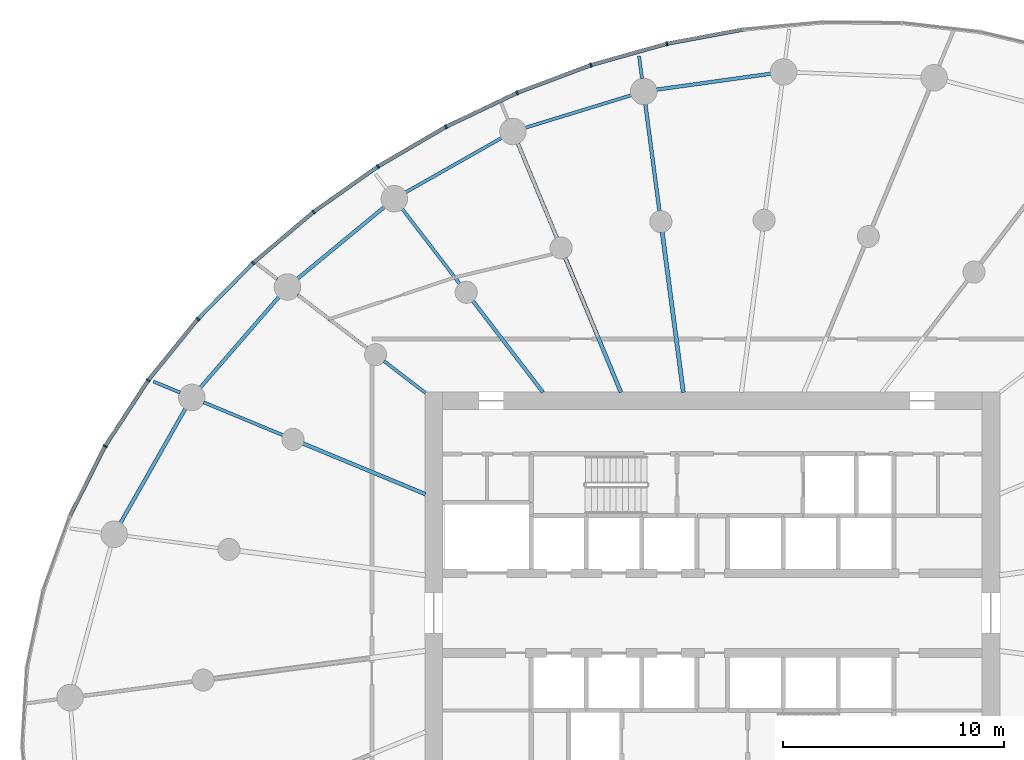
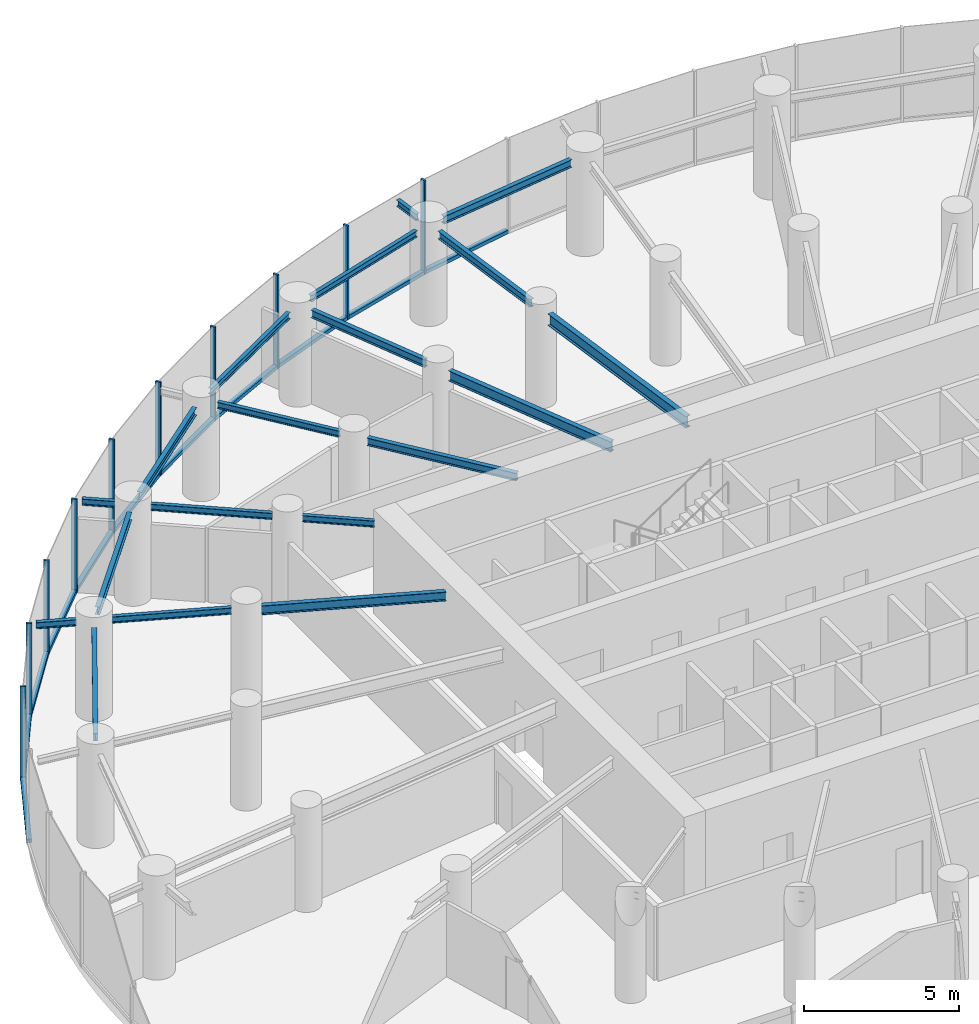
# One storey, part 6 of 17: 21 members, 19 beams, 3 elements without a shape of their own.
"""IFC4 building model written with IfcOpenShell, lengths in metres."""

import ifcopenshell
import ifcopenshell.guid

model = None  # the IFC model being written
_history = None  # IfcOwnerHistory: only IFC2X3 demands one
_inside = {}  # id of a spatial element -> (the spatial element, [elements in it])
_under = {}  # id of a project, library or spatial element -> (it, [spatial elements below it])
_declared = {}  # id of a project -> (the project, [libraries it declares])
_typed = {}  # id of a type object -> (the type object, [elements of that type])
_made_of = {}  # id of a material, layer set ... -> (it, [elements and type objects made of it])


def new_model(schema):
    """Start an empty IFC model of exactly this schema.

    Asked for "IFC4X3", IfcOpenShell would pick the latest addendum, in which some entities
    have other attributes; the version numbers below select the first issue.
    IFC2X3 requires an IfcOwnerHistory on every rooted entity: one is made here for all.
    """
    global model, _history
    if schema == "IFC4X3":
        model = ifcopenshell.file(schema_version=(4, 3, 0, 0))
    else:
        model = ifcopenshell.file(schema=schema)
    _inside.clear()
    _under.clear()
    _declared.clear()
    _typed.clear()
    _made_of.clear()
    _history = None
    if model.schema == "IFC2X3":
        org = make("IfcOrganization", Name="unknown")
        user = make(
            "IfcPersonAndOrganization",
            ThePerson=make("IfcPerson", FamilyName="unknown"),
            TheOrganization=org,
        )
        app = make(
            "IfcApplication",
            ApplicationDeveloper=org,
            Version="unknown",
            ApplicationFullName="unknown",
            ApplicationIdentifier="unknown",
        )
        _history = make(
            "IfcOwnerHistory",
            OwningUser=user,
            OwningApplication=app,
            ChangeAction="ADDED",
            CreationDate=0,
        )
    return model


def make(cls, **values):
    """One entity of the class cls with the attributes given. An attribute that is None is left unset."""
    return model.create_entity(
        cls, **{name: value for name, value in values.items() if value is not None}
    )


def rooted(cls, **values):
    """An entity with a GlobalId (a new one), such as an element, a storey or a relation."""
    return make(cls, GlobalId=ifcopenshell.guid.new(), OwnerHistory=_history, **values)


def si_unit(unit_type, name, prefix=None):
    """IfcSIUnit, for example si_unit("LENGTHUNIT", "METRE", prefix="MILLI")."""
    return make("IfcSIUnit", UnitType=unit_type, Prefix=prefix, Name=name)


def assignment(units):
    """IfcUnitAssignment: the units of a project."""
    return None if units is None else make("IfcUnitAssignment", Units=units)


def point(xyz):
    """IfcCartesianPoint."""
    return None if xyz is None else make("IfcCartesianPoint", Coordinates=xyz)


def direction(xyz):
    """IfcDirection."""
    return None if xyz is None else make("IfcDirection", DirectionRatios=xyz)


def frame(location, z_axis=None, x_axis=None):
    """IfcAxis2Placement3D, a coordinate frame: its origin and axes. An axis left out is left unset."""
    return make(
        "IfcAxis2Placement3D",
        Location=point(location),
        Axis=direction(z_axis),
        RefDirection=direction(x_axis),
    )


def frame_2d(location, x_axis=None):
    """IfcAxis2Placement2D, a coordinate frame in the plane: its origin and x axis."""
    return make(
        "IfcAxis2Placement2D", Location=point(location), RefDirection=direction(x_axis)
    )


def origin():
    """The frame at (0, 0, 0) with its axes left unset."""
    return frame((0.0, 0.0, 0.0))


def origin_2d():
    """The frame at (0, 0) in the plane with its x axis left unset."""
    return frame_2d((0.0, 0.0))


def place(relative_to, where):
    """IfcLocalPlacement: puts the frame where relative to a parent placement (None: the world)."""
    return make(
        "IfcLocalPlacement", PlacementRelTo=relative_to, RelativePlacement=where
    )


def context(
    kind, dimensions, precision=None, world=None, true_north=None, identifier=None
):
    """IfcGeometricRepresentationContext, for example the 3D "Model" context."""
    return make(
        "IfcGeometricRepresentationContext",
        ContextIdentifier=identifier,
        ContextType=kind,
        CoordinateSpaceDimension=dimensions,
        Precision=precision,
        WorldCoordinateSystem=world,
        TrueNorth=true_north,
    )


def subcontext(parent, identifier, kind, view, scale=None):
    """IfcGeometricRepresentationSubContext, for example "Body" below "Model"."""
    return make(
        "IfcGeometricRepresentationSubContext",
        ContextIdentifier=identifier,
        ContextType=kind,
        ParentContext=parent,
        TargetScale=scale,
        TargetView=view,
    )


def project(units=None, contexts=None):
    """IfcProject with its units and contexts."""
    return rooted(
        "IfcProject",
        Name="project",
        RepresentationContexts=contexts,
        UnitsInContext=assignment(units),
    )


def spatial(cls, under=None, at=None, **own):
    """A site, building, storey or space (cls), placed at a placement, below another one or the project."""
    s = rooted(cls, ObjectPlacement=at, **own)
    if under is not None:
        _under.setdefault(under.id(), (under, []))[1].append(s)
    return s


def profile(cls, at=None, kind="AREA", **sizes):
    """A parametric profile (cls). Its sizes go by their IFC names, for example OverallWidth=200.0."""
    return make(cls, ProfileType=kind, Position=at, **sizes)


def rectangle(**sizes):
    """IfcRectangleProfileDef."""
    return profile("IfcRectangleProfileDef", **sizes)


def i_section(**sizes):
    """IfcIShapeProfileDef."""
    return profile("IfcIShapeProfileDef", **sizes)


def extrude(swept, where, along, depth):
    """IfcExtrudedAreaSolid: the profile swept, set in the frame where, extruded along a direction by depth."""
    return make(
        "IfcExtrudedAreaSolid",
        SweptArea=swept,
        Position=where,
        ExtrudedDirection=direction(along),
        Depth=depth,
    )


def shape(context_of_items, identifier, shape_type, items):
    """IfcShapeRepresentation: the items that make up one representation, for example the "Body"."""
    return make(
        "IfcShapeRepresentation",
        ContextOfItems=context_of_items,
        RepresentationIdentifier=identifier,
        RepresentationType=shape_type,
        Items=items,
    )


def source(mapping_origin, context_of_items, identifier, shape_type, items):
    """IfcRepresentationMap: a shape defined once, which mapped items show again and again."""
    return make(
        "IfcRepresentationMap",
        MappingOrigin=mapping_origin,
        MappedRepresentation=shape(context_of_items, identifier, shape_type, items),
    )


def transform(
    local_origin,
    x_axis=None,
    y_axis=None,
    z_axis=None,
    scale=None,
    scale2=None,
    scale3=None,
    uniform=True,
):
    """IfcCartesianTransformationOperator3D, or its non-uniform kind. x_axis, y_axis, z_axis: its Axis1, 2, 3."""
    if uniform:
        return make(
            "IfcCartesianTransformationOperator3D",
            Axis1=direction(x_axis),
            Axis2=direction(y_axis),
            LocalOrigin=point(local_origin),
            Scale=scale,
            Axis3=direction(z_axis),
        )
    return make(
        "IfcCartesianTransformationOperator3DnonUniform",
        Axis1=direction(x_axis),
        Axis2=direction(y_axis),
        LocalOrigin=point(local_origin),
        Scale=scale,
        Axis3=direction(z_axis),
        Scale2=scale2,
        Scale3=scale3,
    )


def mapped(mapping_source, mapping_target):
    """IfcMappedItem: shows the shape of a source again, moved by a transform."""
    return make(
        "IfcMappedItem", MappingSource=mapping_source, MappingTarget=mapping_target
    )


def material(Name=None, Category=None):
    """IfcMaterial."""
    return make("IfcMaterial", Name=Name, Category=Category)


def layer(
    of_material, thickness, ventilated=None, Name=None, Category=None, Priority=None
):
    """IfcMaterialLayer: one layer of a wall or slab, of a material (None: an air gap)."""
    return make(
        "IfcMaterialLayer",
        Material=of_material,
        LayerThickness=thickness,
        IsVentilated=ventilated,
        Name=Name,
        Category=Category,
        Priority=Priority,
    )


def layer_set(layers, Name=None):
    """IfcMaterialLayerSet."""
    return make("IfcMaterialLayerSet", MaterialLayers=layers, LayerSetName=Name)


def material_profile(
    of_material, cross_section, Name=None, Category=None, Priority=None
):
    """IfcMaterialProfile: a cross section and its material."""
    return make(
        "IfcMaterialProfile",
        Name=Name,
        Material=of_material,
        Profile=cross_section,
        Priority=Priority,
        Category=Category,
    )


def profile_set(profiles, Name=None, composite=None):
    """IfcMaterialProfileSet."""
    return make(
        "IfcMaterialProfileSet",
        Name=Name,
        MaterialProfiles=profiles,
        CompositeProfile=composite,
    )


def made_of(thing, what):
    """Note that an element or type object is made of a material, layer set ...; save() writes the relation."""
    if what is not None:
        _made_of.setdefault(what.id(), (what, []))[1].append(thing)
    return thing


def type_object(cls, material=None, **own):
    """A type object (cls), such as IfcWallType, which elements share."""
    return made_of(rooted(cls, **own), material)


def element(
    cls,
    number,
    at=None,
    inside=None,
    cuts=None,
    type_object=None,
    material=None,
    context=None,
    identifier="Body",
    shape_type=None,
    held_by="IfcProductDefinitionShape",
    body=None,
    shapes=None,
    **own,
):
    """One element of the class cls, such as IfcWall. Its Tag is "e" and its number.

    at: its placement. inside: the storey or other place that contains it. cuts: it is an
    opening in that element (IfcRelVoidsElement). A single representation is given by context,
    identifier, shape_type and body (its items); several are given by shapes. held_by: the class
    of the entity that holds the representations. save() writes the other relations.
    """
    e = rooted(cls, Tag="e%d" % number, ObjectPlacement=at, **own)
    if body is not None:
        shapes = [shape(context, identifier, shape_type, body)]
    if shapes is not None:
        e.Representation = make(held_by, Representations=shapes)
    if inside is not None:
        _inside.setdefault(inside.id(), (inside, []))[1].append(e)
    if cuts is not None:
        rooted(
            "IfcRelVoidsElement", RelatingBuildingElement=cuts, RelatedOpeningElement=e
        )
    if type_object is not None:
        _typed.setdefault(type_object.id(), (type_object, []))[1].append(e)
    return made_of(e, material)


def aggregate(whole, parts):
    """IfcRelAggregates: a whole, such as a stair, and the parts it consists of."""
    return rooted("IfcRelAggregates", RelatingObject=whole, RelatedObjects=parts)


def save(model, path):
    """Write the relations noted so far, then the file.

    IfcRelAggregates (storeys below a building ...), IfcRelContainedInSpatialStructure (elements
    in a storey), IfcRelDefinesByType, IfcRelAssociatesMaterial and IfcRelDeclares: one each for
    every whole, place, type object, material and project.
    """
    for whole, parts in _under.values():
        aggregate(whole, parts)
    for where, things in _inside.values():
        rooted(
            "IfcRelContainedInSpatialStructure",
            RelatedElements=things,
            RelatingStructure=where,
        )
    for kind, things in _typed.values():
        rooted("IfcRelDefinesByType", RelatedObjects=things, RelatingType=kind)
    for what, things in _made_of.values():
        rooted("IfcRelAssociatesMaterial", RelatedObjects=things, RelatingMaterial=what)
    for by, libraries in _declared.values():
        rooted("IfcRelDeclares", RelatingContext=by, RelatedDefinitions=libraries)
    model.write(path)


model = new_model("IFC4")

# Units and contexts
model_context = context("Model", 3, precision=1e-05, world=origin(), true_north=direction((0.0, 1.0)))
body_context = subcontext(model_context, "Body", "Model", "MODEL_VIEW")
ifc_project = project(units=[si_unit("LENGTHUNIT", "METRE"), si_unit("AREAUNIT", "SQUARE_METRE"), si_unit("VOLUMEUNIT", "CUBIC_METRE"), si_unit("PLANEANGLEUNIT", "RADIAN"), si_unit("MASSUNIT", "GRAM", prefix="KILO")], contexts=[model_context])

# Site, building, storey
site_placement = place(None, origin())
site = spatial("IfcSite", under=ifc_project, at=site_placement, CompositionType="ELEMENT")
building_placement = place(site_placement, origin())
building = spatial("IfcBuilding", under=site, at=building_placement, Name="Spindrift Exchange Tower", CompositionType="ELEMENT")
storey_placement = place(building_placement, frame((0.0, 0.0, 100.300048828125)))
storey = spatial("IfcBuildingStorey", under=building, at=storey_placement, Name="L23", CompositionType="ELEMENT", Elevation=100.300048828125)

# Beams
ifc_material_1 = material(Name="Steel Grade 300", Category="steel")
ifc_material_profile_1 = material_profile(ifc_material_1, i_section(OverallWidth=0.18994140625, OverallDepth=0.45703125, WebThickness=0.009033203125, FlangeThickness=0.014404296875, FilletRadius=0.013916015625, at=origin_2d()), Name="460UB74.6")
ifc_profile_set_1 = profile_set([ifc_material_profile_1], Name="Steel Grade 300")
beam_type_1 = type_object("IfcBeamType", Name="Floor Beam 460UB74.6 Steel Grade 300", PredefinedType="BEAM", material=ifc_profile_set_1)
shared_shape_1 = source(origin(), body_context, "Body", "SweptSolid", [
    extrude(i_section(OverallWidth=0.18994140625, OverallDepth=0.45703125, WebThickness=0.009033203125, FlangeThickness=0.014404296875, FilletRadius=0.013916015625, at=origin_2d()), origin(), (0.0, 0.0, 1.0), 7.3095703125),
])
beam_1_placement = place(storey_placement, frame((50.68603515625, 57.980224609375, 3.471435546875), z_axis=(-0.130527087244, 0.991444743541, 0.0), x_axis=(-0.991444743541, -0.130527087244, 0.0)))
element("IfcBeam", 1, at=beam_1_placement, inside=storey, type_object=beam_type_1, Name="L23 radial beam R07A", PredefinedType="BEAM", context=body_context, shape_type="MappedRepresentation", body=[
    mapped(shared_shape_1, transform((0.0, 0.0, 0.0), scale=1.0)),
])
ifc_material_profile_2 = material_profile(ifc_material_1, i_section(OverallWidth=0.177978515625, OverallDepth=0.406005859375, WebThickness=0.0078125, FlangeThickness=0.0126953125, FilletRadius=0.013916015625, at=origin_2d()), Name="410UB59.7")
ifc_profile_set_2 = profile_set([ifc_material_profile_2], Name="Steel Grade 300")
beam_type_2 = type_object("IfcBeamType", Name="Floor Beam 410UB59.7 Steel Grade 300", PredefinedType="BEAM", material=ifc_profile_set_2)
shared_shape_2 = source(origin(), body_context, "Body", "SweptSolid", [
    extrude(i_section(OverallWidth=0.177978515625, OverallDepth=0.406005859375, WebThickness=0.0078125, FlangeThickness=0.0126953125, FilletRadius=0.013916015625, at=origin_2d()), origin(), (0.0, 0.0, 1.0), 6.594482421875),
])
beam_2_placement = place(storey_placement, frame((47.865478515625, 57.9814453125, 3.4970703125), z_axis=(-0.382692929746, 0.92387559851, 0.0), x_axis=(-0.92387559851, -0.382692929746, 0.0)))
element("IfcBeam", 2, at=beam_2_placement, inside=storey, type_object=beam_type_2, Name="L23 radial beam R08A", PredefinedType="BEAM", context=body_context, shape_type="MappedRepresentation", body=[
    mapped(shared_shape_2, transform((0.0, 0.0, 0.0), scale=1.0)),
])
ifc_material_profile_3 = material_profile(ifc_material_1, i_section(OverallWidth=0.1650390625, OverallDepth=0.303955078125, WebThickness=0.006103515625, FlangeThickness=0.01025390625, FilletRadius=0.011474609375, at=origin_2d()), Name="310UB40.4")
ifc_profile_set_3 = profile_set([ifc_material_profile_3], Name="Steel Grade 300")
beam_type_3 = type_object("IfcBeamType", Name="Floor Beam 310UB40.4 Steel Grade 300", PredefinedType="BEAM", material=ifc_profile_set_3)
shared_shape_3 = source(origin(), body_context, "Body", "SweptSolid", [
    extrude(i_section(OverallWidth=0.1650390625, OverallDepth=0.303955078125, WebThickness=0.006103515625, FlangeThickness=0.01025390625, FilletRadius=0.011474609375, at=origin_2d()), origin(), (0.0, 0.0, 1.0), 5.224609375),
])
beam_3_placement = place(storey_placement, frame((44.3388671875, 57.984130859375, 3.5478515625), z_axis=(-0.608741499316, 0.793368632485, 0.0), x_axis=(-0.793368632485, -0.608741499316, 0.0)))
element("IfcBeam", 3, at=beam_3_placement, inside=storey, type_object=beam_type_3, Name="L23 radial beam R09A", PredefinedType="BEAM", context=body_context, shape_type="MappedRepresentation", body=[
    mapped(shared_shape_3, transform((0.0, 0.0, 0.0), scale=1.0)),
])
ifc_material_profile_4 = material_profile(ifc_material_1, i_section(OverallWidth=0.14599609375, OverallDepth=0.251953125, WebThickness=0.006103515625, FlangeThickness=0.008544921875, FilletRadius=0.011962890625, at=origin_2d()), Name="250UB31.4")
ifc_profile_set_4 = profile_set([ifc_material_profile_4], Name="Steel Grade 300")
beam_type_4 = type_object("IfcBeamType", Name="Floor Beam 250UB31.4 Steel Grade 300", PredefinedType="BEAM", material=ifc_profile_set_4)
shared_shape_4 = source(origin(), body_context, "Body", "SweptSolid", [
    extrude(i_section(OverallWidth=0.14599609375, OverallDepth=0.251953125, WebThickness=0.006103515625, FlangeThickness=0.008544921875, FilletRadius=0.011962890625, at=origin_2d()), origin(), (0.0, 0.0, 1.0), 2.353759765625),
])
beam_4_placement = place(storey_placement, frame((39.015869140625, 57.963134765625, 3.573974609375), z_axis=(-0.793367573265, 0.608742879787, 0.0), x_axis=(-0.608742879787, -0.793367573265, 0.0)))
element("IfcBeam", 4, at=beam_4_placement, inside=storey, type_object=beam_type_4, Name="L23 radial beam R10A", PredefinedType="BEAM", context=body_context, shape_type="MappedRepresentation", body=[
    mapped(shared_shape_4, transform((0.0, 0.0, 0.0), scale=1.0)),
])
ifc_material_profile_5 = material_profile(ifc_material_1, i_section(OverallWidth=0.172119140625, OverallDepth=0.35888671875, WebThickness=0.008056640625, FlangeThickness=0.012939453125, FilletRadius=0.013916015625, at=origin_2d()), Name="360UB56.7")
ifc_profile_set_5 = profile_set([ifc_material_profile_5], Name="Steel Grade 300")
beam_type_5 = type_object("IfcBeamType", Name="Floor Beam 360UB56.7 Steel Grade 300", PredefinedType="BEAM", material=ifc_profile_set_5)
shared_shape_5 = source(origin(), body_context, "Body", "SweptSolid", [
    extrude(i_section(OverallWidth=0.172119140625, OverallDepth=0.35888671875, WebThickness=0.008056640625, FlangeThickness=0.012939453125, FilletRadius=0.013916015625, at=origin_2d()), origin(), (0.0, 0.0, 1.0), 6.004638671875),
])
beam_5_placement = place(storey_placement, frame((39.0185546875, 53.377197265625, 3.5205078125), z_axis=(-0.923882044911, 0.38267736684, 0.0), x_axis=(-0.38267736684, -0.923882044911, 0.0)))
element("IfcBeam", 5, at=beam_5_placement, inside=storey, type_object=beam_type_5, Name="L23 radial beam R11A", PredefinedType="BEAM", context=body_context, shape_type="MappedRepresentation", body=[
    mapped(shared_shape_5, transform((0.0, 0.0, 0.0), scale=1.0)),
])
shared_shape_6 = source(origin(), body_context, "Body", "SweptSolid", [
    extrude(i_section(OverallWidth=0.1650390625, OverallDepth=0.303955078125, WebThickness=0.006103515625, FlangeThickness=0.01025390625, FilletRadius=0.011474609375, at=origin_2d()), origin(), (0.0, 0.0, 1.0), 4.883056640625),
])
beam_6_placement = place(storey_placement, frame((49.606689453125, 66.17919921875, 3.5478515625), z_axis=(-0.130542457964, 0.991442719812, 0.0), x_axis=(-0.991442719812, -0.130542457964, 0.0)))
element("IfcBeam", 6, at=beam_6_placement, inside=storey, type_object=beam_type_3, Name="L23 radial beam R07B", PredefinedType="BEAM", context=body_context, shape_type="MappedRepresentation", body=[
    mapped(shared_shape_6, transform((0.0, 0.0, 0.0), scale=1.0)),
])
shared_shape_7 = source(origin(), body_context, "Body", "SweptSolid", [
    extrude(i_section(OverallWidth=0.1650390625, OverallDepth=0.303955078125, WebThickness=0.006103515625, FlangeThickness=0.01025390625, FilletRadius=0.011474609375, at=origin_2d()), origin(), (0.0, 0.0, 1.0), 4.63671875),
])
beam_7_placement = place(storey_placement, frame((44.974609375, 64.9609375, 3.5478515625), z_axis=(-0.382692818086, 0.923875644763, 0.0), x_axis=(-0.923875644763, -0.382692818086, 0.0)))
element("IfcBeam", 7, at=beam_7_placement, inside=storey, type_object=beam_type_3, Name="L23 radial beam R08B", PredefinedType="BEAM", context=body_context, shape_type="MappedRepresentation", body=[
    mapped(shared_shape_7, transform((0.0, 0.0, 0.0), scale=1.0)),
])
shared_shape_8 = source(origin(), body_context, "Body", "SweptSolid", [
    extrude(i_section(OverallWidth=0.14599609375, OverallDepth=0.251953125, WebThickness=0.006103515625, FlangeThickness=0.008544921875, FilletRadius=0.011962890625, at=origin_2d()), origin(), (0.0, 0.0, 1.0), 4.27587890625),
])
beam_8_placement = place(storey_placement, frame((40.573974609375, 62.890625, 3.573974609375), z_axis=(-0.608725184746, 0.793381150177, 0.0), x_axis=(-0.793381150177, -0.608725184746, 0.0)))
element("IfcBeam", 8, at=beam_8_placement, inside=storey, type_object=beam_type_4, Name="L23 radial beam R09B", PredefinedType="BEAM", context=body_context, shape_type="MappedRepresentation", body=[
    mapped(shared_shape_8, transform((0.0, 0.0, 0.0), scale=1.0)),
])
shared_shape_9 = source(origin(), body_context, "Body", "SweptSolid", [
    extrude(i_section(OverallWidth=0.14599609375, OverallDepth=0.251953125, WebThickness=0.006103515625, FlangeThickness=0.008544921875, FilletRadius=0.011962890625, at=origin_2d()), origin(), (0.0, 0.0, 1.0), 3.966064453125),
])
beam_9_placement = place(storey_placement, frame((36.38671875, 59.98046875, 3.573974609375), z_axis=(-0.79336256318, 0.608749409318, 0.0), x_axis=(-0.608749409318, -0.79336256318, 0.0)))
element("IfcBeam", 9, at=beam_9_placement, inside=storey, type_object=beam_type_4, Name="L23 radial beam R10B", PredefinedType="BEAM", context=body_context, shape_type="MappedRepresentation", body=[
    mapped(shared_shape_9, transform((0.0, 0.0, 0.0), scale=1.0)),
])
shared_shape_10 = source(origin(), body_context, "Body", "SweptSolid", [
    extrude(i_section(OverallWidth=0.14599609375, OverallDepth=0.251953125, WebThickness=0.006103515625, FlangeThickness=0.008544921875, FilletRadius=0.011962890625, at=origin_2d()), origin(), (0.0, 0.0, 1.0), 3.892333984375),
])
beam_10_placement = place(storey_placement, frame((32.583984375, 56.04248046875, 3.573974609375), z_axis=(-0.923878458273, 0.382686025794, 0.0), x_axis=(-0.382686025794, -0.923878458273, 0.0)))
element("IfcBeam", 10, at=beam_10_placement, inside=storey, type_object=beam_type_4, Name="L23 radial beam R11B", PredefinedType="BEAM", context=body_context, shape_type="MappedRepresentation", body=[
    mapped(shared_shape_10, transform((0.0, 0.0, 0.0), scale=1.0)),
])
ifc_material_profile_6 = material_profile(ifc_material_1, i_section(OverallWidth=0.1650390625, OverallDepth=0.303955078125, WebThickness=0.006103515625, FlangeThickness=0.01025390625, FilletRadius=0.011474609375, at=origin_2d()), Name="310UB40.4")
ifc_profile_set_6 = profile_set([ifc_material_profile_6], Name="Steel Grade 300")
beam_type_6 = type_object("IfcBeamType", Name="Edge Beam 310UB40.4 Steel Grade 300", PredefinedType="SPANDREL", material=ifc_profile_set_6)
shared_shape_11 = source(origin(), body_context, "Body", "SweptSolid", [
    extrude(i_section(OverallWidth=0.1650390625, OverallDepth=0.303955078125, WebThickness=0.006103515625, FlangeThickness=0.01025390625, FilletRadius=0.011474609375, at=origin_2d()), origin(), (0.0, 0.0, 1.0), 5.22998046875),
])
beam_11_placement = place(storey_placement, frame((54.64794921875, 72.396728515625, 3.5478515625), z_axis=(-0.990440078597, -0.137943650481, 0.0), x_axis=(0.137943650481, -0.990440078597, 0.0)))
element("IfcBeam", 11, at=beam_11_placement, inside=storey, type_object=beam_type_6, Name="L23 edge beam E06", PredefinedType="SPANDREL", context=body_context, shape_type="MappedRepresentation", body=[
    mapped(shared_shape_11, transform((0.0, 0.0, 0.0), scale=1.0)),
])
ifc_material_profile_7 = material_profile(ifc_material_1, i_section(OverallWidth=0.14599609375, OverallDepth=0.251953125, WebThickness=0.006103515625, FlangeThickness=0.008544921875, FilletRadius=0.011962890625, at=origin_2d()), Name="250UB31.4")
ifc_profile_set_7 = profile_set([ifc_material_profile_7], Name="Steel Grade 300")
beam_type_7 = type_object("IfcBeamType", Name="Edge Beam 250UB31.4 Steel Grade 300", PredefinedType="SPANDREL", material=ifc_profile_set_7)
shared_shape_12 = source(origin(), body_context, "Body", "SweptSolid", [
    extrude(i_section(OverallWidth=0.14599609375, OverallDepth=0.251953125, WebThickness=0.006103515625, FlangeThickness=0.008544921875, FilletRadius=0.011962890625, at=origin_2d()), origin(), (0.0, 0.0, 1.0), 5.027587890625),
])
beam_12_placement = place(storey_placement, frame((48.339111328125, 71.42529296875, 3.573974609375), z_axis=(-0.956018084082, -0.293307727325, 0.0), x_axis=(0.293307727325, -0.956018084082, 0.0)))
element("IfcBeam", 12, at=beam_12_placement, inside=storey, type_object=beam_type_7, Name="L23 edge beam E07", PredefinedType="SPANDREL", context=body_context, shape_type="MappedRepresentation", body=[
    mapped(shared_shape_12, transform((0.0, 0.0, 0.0), scale=1.0)),
])
shared_shape_13 = source(origin(), body_context, "Body", "SweptSolid", [
    extrude(i_section(OverallWidth=0.14599609375, OverallDepth=0.251953125, WebThickness=0.006103515625, FlangeThickness=0.008544921875, FilletRadius=0.011962890625, at=origin_2d()), origin(), (0.0, 0.0, 1.0), 5.0009765625),
])
beam_13_placement = place(storey_placement, frame((42.4736328125, 69.494384765625, 3.573974609375), z_axis=(-0.870045916697, -0.492970691663, 0.0), x_axis=(0.492970691663, -0.870045916697, 0.0)))
element("IfcBeam", 13, at=beam_13_placement, inside=storey, type_object=beam_type_7, Name="L23 edge beam E08", PredefinedType="SPANDREL", context=body_context, shape_type="MappedRepresentation", body=[
    mapped(shared_shape_13, transform((0.0, 0.0, 0.0), scale=1.0)),
])
shared_shape_14 = source(origin(), body_context, "Body", "SweptSolid", [
    extrude(i_section(OverallWidth=0.1650390625, OverallDepth=0.303955078125, WebThickness=0.006103515625, FlangeThickness=0.01025390625, FilletRadius=0.011474609375, at=origin_2d()), origin(), (0.0, 0.0, 1.0), 5.114501953125),
])
beam_14_placement = place(storey_placement, frame((37.1708984375, 66.373779296875, 3.5478515625), z_axis=(-0.771073837992, -0.63674573918, 0.0), x_axis=(0.63674573918, -0.771073837992, 0.0)))
element("IfcBeam", 14, at=beam_14_placement, inside=storey, type_object=beam_type_6, Name="L23 edge beam E09", PredefinedType="SPANDREL", context=body_context, shape_type="MappedRepresentation", body=[
    mapped(shared_shape_14, transform((0.0, 0.0, 0.0), scale=1.0)),
])
shared_shape_15 = source(origin(), body_context, "Body", "SweptSolid", [
    extrude(i_section(OverallWidth=0.1650390625, OverallDepth=0.303955078125, WebThickness=0.006103515625, FlangeThickness=0.01025390625, FilletRadius=0.011474609375, at=origin_2d()), origin(), (0.0, 0.0, 1.0), 5.448486328125),
])
beam_15_placement = place(storey_placement, frame((32.400390625, 62.3095703125, 3.5478515625), z_axis=(-0.654922008827, -0.755696475018, 0.0), x_axis=(0.755696475018, -0.654922008827, 0.0)))
element("IfcBeam", 15, at=beam_15_placement, inside=storey, type_object=beam_type_6, Name="L23 edge beam E10", PredefinedType="SPANDREL", context=body_context, shape_type="MappedRepresentation", body=[
    mapped(shared_shape_15, transform((0.0, 0.0, 0.0), scale=1.0)),
])
shared_shape_16 = source(origin(), body_context, "Body", "SweptSolid", [
    extrude(i_section(OverallWidth=0.1650390625, OverallDepth=0.303955078125, WebThickness=0.006103515625, FlangeThickness=0.01025390625, FilletRadius=0.011474609375, at=origin_2d()), origin(), (0.0, 0.0, 1.0), 5.9599609375),
])
beam_16_placement = place(storey_placement, frame((28.165771484375, 57.24951171875, 3.5478515625), z_axis=(-0.493940434745, -0.869495742901, 0.0), x_axis=(0.869495742901, -0.493940434745, 0.0)))
element("IfcBeam", 16, at=beam_16_placement, inside=storey, type_object=beam_type_6, Name="L23 edge beam E11", PredefinedType="SPANDREL", context=body_context, shape_type="MappedRepresentation", body=[
    mapped(shared_shape_16, transform((0.0, 0.0, 0.0), scale=1.0)),
])
ifc_material_profile_8 = material_profile(ifc_material_1, i_section(OverallWidth=0.14599609375, OverallDepth=0.251953125, WebThickness=0.006103515625, FlangeThickness=0.008544921875, FilletRadius=0.011962890625, at=origin_2d()), Name="250UB31.4")
ifc_profile_set_8 = profile_set([ifc_material_profile_8], Name="Steel Grade 300")
beam_type_8 = type_object("IfcBeamType", Name="Cantilever Beam 250UB31.4 Steel Grade 300", PredefinedType="BEAM", material=ifc_profile_set_8)
shared_shape_17 = source(origin(), body_context, "Body", "SweptSolid", [
    extrude(i_section(OverallWidth=0.14599609375, OverallDepth=0.251953125, WebThickness=0.006103515625, FlangeThickness=0.008544921875, FilletRadius=0.011962890625, at=origin_2d()), origin(), (0.0, 0.0, 1.0), 1.036865234375),
])
beam_17_placement = place(storey_placement, frame((48.81787109375, 72.17041015625, 3.573974609375), z_axis=(-0.13043624116, 0.991456699504, 0.0), x_axis=(-0.991456699504, -0.13043624116, 0.0)))
element("IfcBeam", 17, at=beam_17_placement, inside=storey, type_object=beam_type_8, Name="L23 cantilever beam R07T", PredefinedType="BEAM", context=body_context, shape_type="MappedRepresentation", body=[
    mapped(shared_shape_17, transform((0.0, 0.0, 0.0), scale=1.0)),
])
shared_shape_18 = source(origin(), body_context, "Body", "SweptSolid", [
    extrude(i_section(OverallWidth=0.14599609375, OverallDepth=0.251953125, WebThickness=0.006103515625, FlangeThickness=0.008544921875, FilletRadius=0.011962890625, at=origin_2d()), origin(), (0.0, 0.0, 1.0), 1.070556640625),
])
beam_18_placement = place(storey_placement, frame((32.320068359375, 63.10107421875, 3.573974609375), z_axis=(-0.793411777687, 0.608685264342, 0.0), x_axis=(-0.608685264342, -0.793411777687, 0.0)))
element("IfcBeam", 18, at=beam_18_placement, inside=storey, type_object=beam_type_8, Name="L23 cantilever beam R10T", PredefinedType="BEAM", context=body_context, shape_type="MappedRepresentation", body=[
    mapped(shared_shape_18, transform((0.0, 0.0, 0.0), scale=1.0)),
])
shared_shape_19 = source(origin(), body_context, "Body", "SweptSolid", [
    extrude(i_section(OverallWidth=0.14599609375, OverallDepth=0.251953125, WebThickness=0.006103515625, FlangeThickness=0.008544921875, FilletRadius=0.011962890625, at=origin_2d()), origin(), (0.0, 0.0, 1.0), 1.301025390625),
])
beam_19_placement = place(storey_placement, frame((27.91650390625, 57.975830078125, 3.573974609375), z_axis=(-0.923891035164, 0.382655661324, 0.0), x_axis=(-0.382655661324, -0.923891035164, 0.0)))
element("IfcBeam", 19, at=beam_19_placement, inside=storey, type_object=beam_type_8, Name="L23 cantilever beam R11T", PredefinedType="BEAM", context=body_context, shape_type="MappedRepresentation", body=[
    mapped(shared_shape_19, transform((0.0, 0.0, 0.0), scale=1.0)),
])

# Curtain wall, members
ifc_material_2 = material(Name="Fritted laminated glass with bronze frame", Category="glass")
ifc_layer = layer(ifc_material_2, 0.18994140625)
ifc_layer_set = layer_set([ifc_layer], Name="ZONE 2 BRONZE FRITTED WALL")
curtain_wall_type = type_object("IfcCurtainWallType", Name="ZONE 2 BRONZE FRITTED WALL", PredefinedType="NOTDEFINED", material=ifc_layer_set)
curtain_wall_1_placement = place(storey_placement, origin())
curtain_wall_1 = element("IfcCurtainWall", 20, at=curtain_wall_1_placement, inside=storey, type_object=curtain_wall_type, Name="L23 Zone 2 Bronze Fritted Wall run 2", PredefinedType="NOTDEFINED")
ifc_material_3 = material(Name="Bronze anodised aluminium", Category="aluminium")
ifc_material_profile_9 = material_profile(ifc_material_3, rectangle(XDim=0.074951171875, YDim=0.18994140625, at=origin_2d()), Name="ZONE 2 BRONZE FRITTED WALL MULLION 75X190")
ifc_profile_set_9 = profile_set([ifc_material_profile_9], Name="Bronze anodised aluminium")
member_type_1 = type_object("IfcMemberType", Name="ZONE 2 BRONZE FRITTED WALL MULLION 75X190", PredefinedType="MULLION", material=ifc_profile_set_9)
shared_shape_20 = source(origin(), body_context, "Body", "SweptSolid", [
    extrude(rectangle(XDim=0.074951171875, YDim=0.18994140625, at=origin_2d()), origin(), (0.0, 0.0, 1.0), 3.699951171875),
])
member_1_placement = place(storey_placement, frame((49.9423828125, 73.7509765625, 0.0), z_axis=(0.0, 0.0, 1.0), x_axis=(-0.973868948827, -0.227110701005, 0.0)))
member_1 = element("IfcMember", 21, at=member_1_placement, type_object=member_type_1, Name="L23 mullion CW-2.11", PredefinedType="MULLION", context=body_context, shape_type="MappedRepresentation", body=[
    mapped(shared_shape_20, transform((0.0, 0.0, 0.0), scale=1.0)),
])
member_2_placement = place(storey_placement, frame((46.50830078125, 72.787109375, 0.0), z_axis=(0.0, 0.0, 1.0), x_axis=(-0.950248765538, -0.311492028137, 0.0)))
member_2 = element("IfcMember", 22, at=member_2_placement, type_object=member_type_1, Name="L23 mullion CW-2.12", PredefinedType="MULLION", context=body_context, shape_type="MappedRepresentation", body=[
    mapped(shared_shape_20, transform((0.0, 0.0, 0.0), scale=1.0)),
])

curtain_wall_2_placement = place(storey_placement, origin())
curtain_wall_2 = element("IfcCurtainWall", 23, at=curtain_wall_2_placement, inside=storey, type_object=curtain_wall_type, Name="L23 Zone 2 Bronze Fritted Wall run 3", PredefinedType="NOTDEFINED")
member_3_placement = place(storey_placement, frame((43.170166015625, 71.531005859375, 0.0), z_axis=(0.0, 0.0, 1.0), x_axis=(-0.920208568055, -0.391428398661, 0.0)))
member_3 = element("IfcMember", 24, at=member_3_placement, type_object=member_type_1, Name="L23 mullion CW-2.13", PredefinedType="MULLION", context=body_context, shape_type="MappedRepresentation", body=[
    mapped(shared_shape_20, transform((0.0, 0.0, 0.0), scale=1.0)),
])
member_4_placement = place(storey_placement, frame((39.9501953125, 69.997314453125, 0.0), z_axis=(0.0, 0.0, 1.0), x_axis=(-0.883893892087, -0.467687489175, 0.0)))
member_4 = element("IfcMember", 25, at=member_4_placement, type_object=member_type_1, Name="L23 mullion CW-2.14", PredefinedType="MULLION", context=body_context, shape_type="MappedRepresentation", body=[
    mapped(shared_shape_20, transform((0.0, 0.0, 0.0), scale=1.0)),
])
member_5_placement = place(storey_placement, frame((36.87060546875, 68.19775390625, 0.0), z_axis=(0.0, 0.0, 1.0), x_axis=(-0.841098491149, -0.540881990999, 0.0)))
member_5 = element("IfcMember", 26, at=member_5_placement, type_object=member_type_1, Name="L23 mullion CW-2.15", PredefinedType="MULLION", context=body_context, shape_type="MappedRepresentation", body=[
    mapped(shared_shape_20, transform((0.0, 0.0, 0.0), scale=1.0)),
])
member_6_placement = place(storey_placement, frame((33.955810546875, 66.142578125, 0.0), z_axis=(0.0, 0.0, 1.0), x_axis=(-0.791296834294, -0.611432187603, 0.0)))
member_6 = element("IfcMember", 27, at=member_6_placement, type_object=member_type_1, Name="L23 mullion CW-2.16", PredefinedType="MULLION", context=body_context, shape_type="MappedRepresentation", body=[
    mapped(shared_shape_20, transform((0.0, 0.0, 0.0), scale=1.0)),
])
member_7_placement = place(storey_placement, frame((31.231689453125, 63.840576171875, 0.0), z_axis=(0.0, 0.0, 1.0), x_axis=(-0.733625995096, -0.679553455821, 0.0)))
member_7 = element("IfcMember", 28, at=member_7_placement, type_object=member_type_1, Name="L23 mullion CW-2.17", PredefinedType="MULLION", context=body_context, shape_type="MappedRepresentation", body=[
    mapped(shared_shape_20, transform((0.0, 0.0, 0.0), scale=1.0)),
])
member_8_placement = place(storey_placement, frame((28.728271484375, 61.30029296875, 0.0), z_axis=(0.0, 0.0, 1.0), x_axis=(-0.666852741869, -0.745189519963, 0.0)))
member_8 = element("IfcMember", 29, at=member_8_placement, type_object=member_type_1, Name="L23 mullion CW-2.18", PredefinedType="MULLION", context=body_context, shape_type="MappedRepresentation", body=[
    mapped(shared_shape_20, transform((0.0, 0.0, 0.0), scale=1.0)),
])

curtain_wall_3_placement = place(storey_placement, origin())
curtain_wall_3 = element("IfcCurtainWall", 30, at=curtain_wall_3_placement, inside=storey, type_object=curtain_wall_type, Name="L23 Zone 2 Bronze Fritted Wall run 4", PredefinedType="NOTDEFINED")
member_9_placement = place(storey_placement, frame((26.480712890625, 58.531494140625, 0.0), z_axis=(0.0, 0.0, 1.0), x_axis=(-0.589368271909, -0.807864493629, 0.0)))
member_9 = element("IfcMember", 31, at=member_9_placement, type_object=member_type_1, Name="L23 mullion CW-2.19", PredefinedType="MULLION", context=body_context, shape_type="MappedRepresentation", body=[
    mapped(shared_shape_20, transform((0.0, 0.0, 0.0), scale=1.0)),
])
member_10_placement = place(storey_placement, frame((24.5302734375, 55.5458984375, 0.0), z_axis=(0.0, 0.0, 1.0), x_axis=(-0.499268559151, -0.866447289709, 0.0)))
member_10 = element("IfcMember", 32, at=member_10_placement, type_object=member_type_1, Name="L23 mullion CW-2.20", PredefinedType="MULLION", context=body_context, shape_type="MappedRepresentation", body=[
    mapped(shared_shape_20, transform((0.0, 0.0, 0.0), scale=1.0)),
])

# Member
ifc_material_profile_10 = material_profile(ifc_material_3, rectangle(XDim=0.169921875, YDim=0.139892578125, at=origin_2d()), Name="ZONE 2 BRONZE FRITTED WALL TRANSOM 170X140")
ifc_profile_set_10 = profile_set([ifc_material_profile_10], Name="Bronze anodised aluminium")
member_type_2 = type_object("IfcMemberType", Name="ZONE 2 BRONZE FRITTED WALL TRANSOM 170X140", PredefinedType="USERDEFINED", material=ifc_profile_set_10)
shared_shape_21 = source(origin(), body_context, "Body", "SweptSolid", [
    extrude(rectangle(XDim=0.169921875, YDim=0.139892578125, at=origin_2d()), origin(), (0.0, 0.0, 1.0), 3.49169921875),
])
member_11_placement = place(storey_placement, frame((49.90625, 73.74072265625, 0.070068359375), z_axis=(-0.962793177329, -0.270239334087, 0.0), x_axis=(0.270239334087, -0.962793177329, 0.0)))
member_11 = element("IfcMember", 33, at=member_11_placement, type_object=member_type_2, Name="L23 transom CW-2.11", ObjectType="TRANSOM", PredefinedType="USERDEFINED", context=body_context, shape_type="MappedRepresentation", body=[
    mapped(shared_shape_21, transform((0.0, 0.0, 0.0), scale=1.0)),
])

member_12_placement = place(storey_placement, frame((46.473388671875, 72.773681640625, 0.070068359375), z_axis=(-0.935955100105, -0.352119369799, 0.0), x_axis=(0.352119369799, -0.935955100105, 0.0)))
member_12 = element("IfcMember", 34, at=member_12_placement, type_object=member_type_2, Name="L23 transom CW-2.12", ObjectType="TRANSOM", PredefinedType="USERDEFINED", context=body_context, shape_type="MappedRepresentation", body=[
    mapped(shared_shape_21, transform((0.0, 0.0, 0.0), scale=1.0)),
])

member_13_placement = place(storey_placement, frame((43.13623046875, 71.514892578125, 0.070068359375), z_axis=(-0.902821741878, -0.430015002521, 0.0), x_axis=(0.430015002521, -0.902821741878, 0.0)))
member_13 = element("IfcMember", 35, at=member_13_placement, type_object=member_type_2, Name="L23 transom CW-2.13", ObjectType="TRANSOM", PredefinedType="USERDEFINED", context=body_context, shape_type="MappedRepresentation", body=[
    mapped(shared_shape_21, transform((0.0, 0.0, 0.0), scale=1.0)),
])

shared_shape_22 = source(origin(), body_context, "Body", "SweptSolid", [
    extrude(rectangle(XDim=0.169921875, YDim=0.139892578125, at=origin_2d()), origin(), (0.0, 0.0, 1.0), 3.49072265625),
])
member_14_placement = place(storey_placement, frame((24.513427734375, 55.512451171875, 0.070068359375), z_axis=(-0.450064877713, -0.892995859928, 0.0), x_axis=(0.892995859928, -0.450064877713, 0.0)))
member_14 = element("IfcMember", 36, at=member_14_placement, type_object=member_type_2, Name="L23 transom CW-2.20", ObjectType="TRANSOM", PredefinedType="USERDEFINED", context=body_context, shape_type="MappedRepresentation", body=[
    mapped(shared_shape_22, transform((0.0, 0.0, 0.0), scale=1.0)),
])

shared_shape_23 = source(origin(), body_context, "Body", "SweptSolid", [
    extrude(rectangle(XDim=0.169921875, YDim=0.139892578125, at=origin_2d()), origin(), (0.0, 0.0, 1.0), 3.491455078125),
])
member_15_placement = place(storey_placement, frame((53.411376953125, 74.3984375, 0.070068359375), z_axis=(-0.983022266847, -0.183486301622, 0.0), x_axis=(0.183486301622, -0.983022266847, 0.0)))
member_15 = element("IfcMember", 37, at=member_15_placement, type_object=member_type_2, Name="L23 transom CW-2.10", ObjectType="TRANSOM", PredefinedType="USERDEFINED", context=body_context, shape_type="MappedRepresentation", body=[
    mapped(shared_shape_23, transform((0.0, 0.0, 0.0), scale=1.0)),
])

aggregate(curtain_wall_1, [member_15, member_1, member_11, member_2, member_12])

member_16_placement = place(storey_placement, frame((39.917724609375, 69.978271484375, 0.070068359375), z_axis=(-0.863413478517, -0.504496942622, 0.0), x_axis=(0.504496942622, -0.863413478517, 0.0)))
member_16 = element("IfcMember", 38, at=member_16_placement, type_object=member_type_2, Name="L23 transom CW-2.14", ObjectType="TRANSOM", PredefinedType="USERDEFINED", context=body_context, shape_type="MappedRepresentation", body=[
    mapped(shared_shape_23, transform((0.0, 0.0, 0.0), scale=1.0)),
])

member_17_placement = place(storey_placement, frame((33.927001953125, 66.118408203125, 0.070068359375), z_axis=(-0.763783986175, -0.645471937781, 0.0), x_axis=(0.645471937781, -0.763783986175, 0.0)))
member_17 = element("IfcMember", 39, at=member_17_placement, type_object=member_type_2, Name="L23 transom CW-2.16", ObjectType="TRANSOM", PredefinedType="USERDEFINED", context=body_context, shape_type="MappedRepresentation", body=[
    mapped(shared_shape_23, transform((0.0, 0.0, 0.0), scale=1.0)),
])

member_18_placement = place(storey_placement, frame((31.205322265625, 63.813720703125, 0.070068359375), z_axis=(-0.70191335214, -0.712262343584, 0.0), x_axis=(0.712262343584, -0.70191335214, 0.0)))
member_18 = element("IfcMember", 40, at=member_18_placement, type_object=member_type_2, Name="L23 transom CW-2.17", ObjectType="TRANSOM", PredefinedType="USERDEFINED", context=body_context, shape_type="MappedRepresentation", body=[
    mapped(shared_shape_23, transform((0.0, 0.0, 0.0), scale=1.0)),
])

member_19_placement = place(storey_placement, frame((28.70458984375, 61.271240234375, 0.070068359375), z_axis=(-0.630247701711, -0.776394123167, 0.0), x_axis=(0.776394123167, -0.630247701711, 0.0)))
member_19 = element("IfcMember", 41, at=member_19_placement, type_object=member_type_2, Name="L23 transom CW-2.18", ObjectType="TRANSOM", PredefinedType="USERDEFINED", context=body_context, shape_type="MappedRepresentation", body=[
    mapped(shared_shape_23, transform((0.0, 0.0, 0.0), scale=1.0)),
])

shared_shape_24 = source(origin(), body_context, "Body", "SweptSolid", [
    extrude(rectangle(XDim=0.169921875, YDim=0.139892578125, at=origin_2d()), origin(), (0.0, 0.0, 1.0), 3.490966796875),
])
member_20_placement = place(storey_placement, frame((26.460205078125, 58.5, 0.070068359375), z_axis=(-0.546945970016, -0.83716790782, 0.0), x_axis=(0.83716790782, -0.546945970016, 0.0)))
member_20 = element("IfcMember", 42, at=member_20_placement, type_object=member_type_2, Name="L23 transom CW-2.19", ObjectType="TRANSOM", PredefinedType="USERDEFINED", context=body_context, shape_type="MappedRepresentation", body=[
    mapped(shared_shape_24, transform((0.0, 0.0, 0.0), scale=1.0)),
])

aggregate(curtain_wall_3, [member_9, member_20, member_10, member_14])

shared_shape_25 = source(origin(), body_context, "Body", "SweptSolid", [
    extrude(rectangle(XDim=0.169921875, YDim=0.139892578125, at=origin_2d()), origin(), (0.0, 0.0, 1.0), 3.491943359375),
])
member_21_placement = place(storey_placement, frame((36.840087890625, 68.17626953125, 0.070068359375), z_axis=(-0.817266154861, -0.576260385693, 0.0), x_axis=(0.576260385693, -0.817266154861, 0.0)))
member_21 = element("IfcMember", 43, at=member_21_placement, type_object=member_type_2, Name="L23 transom CW-2.15", ObjectType="TRANSOM", PredefinedType="USERDEFINED", context=body_context, shape_type="MappedRepresentation", body=[
    mapped(shared_shape_25, transform((0.0, 0.0, 0.0), scale=1.0)),
])

aggregate(curtain_wall_2, [member_3, member_13, member_4, member_16, member_5, member_21, member_6, member_17, member_7, member_18, member_8, member_19])

save(model, "model.ifc")
